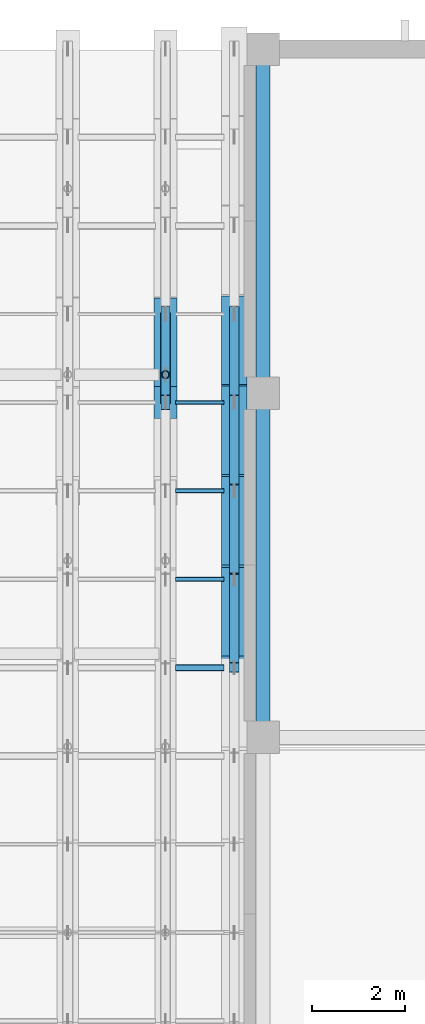
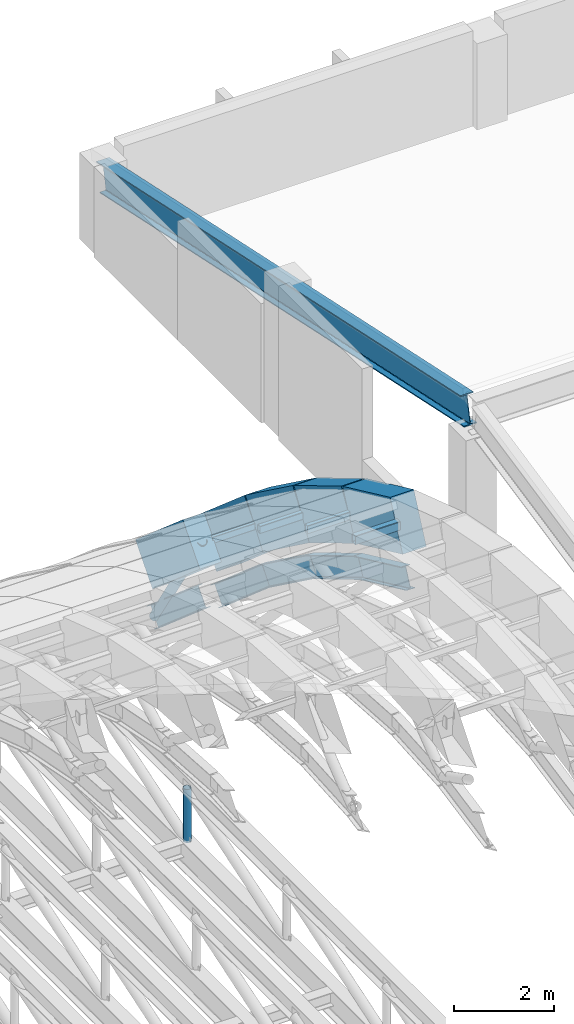
# One storey, part 44 of 67: 11 beams, 6 members.
"""IFC4 building model written with IfcOpenShell, lengths in metres."""

import ifcopenshell
import ifcopenshell.guid

model = None  # the IFC model being written
_history = None  # IfcOwnerHistory: only IFC2X3 demands one
_inside = {}  # id of a spatial element -> (the spatial element, [elements in it])
_under = {}  # id of a project, library or spatial element -> (it, [spatial elements below it])
_declared = {}  # id of a project -> (the project, [libraries it declares])
_typed = {}  # id of a type object -> (the type object, [elements of that type])
_made_of = {}  # id of a material, layer set ... -> (it, [elements and type objects made of it])


def new_model(schema):
    """Start an empty IFC model of exactly this schema.

    Asked for "IFC4X3", IfcOpenShell would pick the latest addendum, in which some entities
    have other attributes; the version numbers below select the first issue.
    IFC2X3 requires an IfcOwnerHistory on every rooted entity: one is made here for all.
    """
    global model, _history
    if schema == "IFC4X3":
        model = ifcopenshell.file(schema_version=(4, 3, 0, 0))
    else:
        model = ifcopenshell.file(schema=schema)
    _inside.clear()
    _under.clear()
    _declared.clear()
    _typed.clear()
    _made_of.clear()
    _history = None
    if model.schema == "IFC2X3":
        org = make("IfcOrganization", Name="unknown")
        user = make(
            "IfcPersonAndOrganization",
            ThePerson=make("IfcPerson", FamilyName="unknown"),
            TheOrganization=org,
        )
        app = make(
            "IfcApplication",
            ApplicationDeveloper=org,
            Version="unknown",
            ApplicationFullName="unknown",
            ApplicationIdentifier="unknown",
        )
        _history = make(
            "IfcOwnerHistory",
            OwningUser=user,
            OwningApplication=app,
            ChangeAction="ADDED",
            CreationDate=0,
        )
    return model


def make(cls, **values):
    """One entity of the class cls with the attributes given. An attribute that is None is left unset."""
    return model.create_entity(
        cls, **{name: value for name, value in values.items() if value is not None}
    )


def rooted(cls, **values):
    """An entity with a GlobalId (a new one), such as an element, a storey or a relation."""
    return make(cls, GlobalId=ifcopenshell.guid.new(), OwnerHistory=_history, **values)


def si_unit(unit_type, name, prefix=None):
    """IfcSIUnit, for example si_unit("LENGTHUNIT", "METRE", prefix="MILLI")."""
    return make("IfcSIUnit", UnitType=unit_type, Prefix=prefix, Name=name)


def assignment(units):
    """IfcUnitAssignment: the units of a project."""
    return None if units is None else make("IfcUnitAssignment", Units=units)


def point(xyz):
    """IfcCartesianPoint."""
    return None if xyz is None else make("IfcCartesianPoint", Coordinates=xyz)


def direction(xyz):
    """IfcDirection."""
    return None if xyz is None else make("IfcDirection", DirectionRatios=xyz)


def frame(location, z_axis=None, x_axis=None):
    """IfcAxis2Placement3D, a coordinate frame: its origin and axes. An axis left out is left unset."""
    return make(
        "IfcAxis2Placement3D",
        Location=point(location),
        Axis=direction(z_axis),
        RefDirection=direction(x_axis),
    )


def frame_2d(location, x_axis=None):
    """IfcAxis2Placement2D, a coordinate frame in the plane: its origin and x axis."""
    return make(
        "IfcAxis2Placement2D", Location=point(location), RefDirection=direction(x_axis)
    )


def origin():
    """The frame at (0, 0, 0) with its axes left unset."""
    return frame((0.0, 0.0, 0.0))


def origin_2d():
    """The frame at (0, 0) in the plane with its x axis left unset."""
    return frame_2d((0.0, 0.0))


def place(relative_to, where):
    """IfcLocalPlacement: puts the frame where relative to a parent placement (None: the world)."""
    return make(
        "IfcLocalPlacement", PlacementRelTo=relative_to, RelativePlacement=where
    )


def context(
    kind, dimensions, precision=None, world=None, true_north=None, identifier=None
):
    """IfcGeometricRepresentationContext, for example the 3D "Model" context."""
    return make(
        "IfcGeometricRepresentationContext",
        ContextIdentifier=identifier,
        ContextType=kind,
        CoordinateSpaceDimension=dimensions,
        Precision=precision,
        WorldCoordinateSystem=world,
        TrueNorth=true_north,
    )


def subcontext(parent, identifier, kind, view, scale=None):
    """IfcGeometricRepresentationSubContext, for example "Body" below "Model"."""
    return make(
        "IfcGeometricRepresentationSubContext",
        ContextIdentifier=identifier,
        ContextType=kind,
        ParentContext=parent,
        TargetScale=scale,
        TargetView=view,
    )


def project(units=None, contexts=None):
    """IfcProject with its units and contexts."""
    return rooted(
        "IfcProject",
        Name="project",
        RepresentationContexts=contexts,
        UnitsInContext=assignment(units),
    )


def spatial(cls, under=None, at=None, **own):
    """A site, building, storey or space (cls), placed at a placement, below another one or the project."""
    s = rooted(cls, ObjectPlacement=at, **own)
    if under is not None:
        _under.setdefault(under.id(), (under, []))[1].append(s)
    return s


def profile(cls, at=None, kind="AREA", **sizes):
    """A parametric profile (cls). Its sizes go by their IFC names, for example OverallWidth=200.0."""
    return make(cls, ProfileType=kind, Position=at, **sizes)


def rectangle(**sizes):
    """IfcRectangleProfileDef."""
    return profile("IfcRectangleProfileDef", **sizes)


def hollow_rectangle(**sizes):
    """IfcRectangleHollowProfileDef."""
    return profile("IfcRectangleHollowProfileDef", **sizes)


def hollow_circle(**sizes):
    """IfcCircleHollowProfileDef."""
    return profile("IfcCircleHollowProfileDef", **sizes)


def i_section(**sizes):
    """IfcIShapeProfileDef."""
    return profile("IfcIShapeProfileDef", **sizes)


def extrude(swept, where, along, depth):
    """IfcExtrudedAreaSolid: the profile swept, set in the frame where, extruded along a direction by depth."""
    return make(
        "IfcExtrudedAreaSolid",
        SweptArea=swept,
        Position=where,
        ExtrudedDirection=direction(along),
        Depth=depth,
    )


def shape(context_of_items, identifier, shape_type, items):
    """IfcShapeRepresentation: the items that make up one representation, for example the "Body"."""
    return make(
        "IfcShapeRepresentation",
        ContextOfItems=context_of_items,
        RepresentationIdentifier=identifier,
        RepresentationType=shape_type,
        Items=items,
    )


def material(Name=None, Category=None):
    """IfcMaterial."""
    return make("IfcMaterial", Name=Name, Category=Category)


def material_profile(
    of_material, cross_section, Name=None, Category=None, Priority=None
):
    """IfcMaterialProfile: a cross section and its material."""
    return make(
        "IfcMaterialProfile",
        Name=Name,
        Material=of_material,
        Profile=cross_section,
        Priority=Priority,
        Category=Category,
    )


def profile_set(profiles, Name=None, composite=None):
    """IfcMaterialProfileSet."""
    return make(
        "IfcMaterialProfileSet",
        Name=Name,
        MaterialProfiles=profiles,
        CompositeProfile=composite,
    )


def made_of(thing, what):
    """Note that an element or type object is made of a material, layer set ...; save() writes the relation."""
    if what is not None:
        _made_of.setdefault(what.id(), (what, []))[1].append(thing)
    return thing


def type_object(cls, material=None, **own):
    """A type object (cls), such as IfcWallType, which elements share."""
    return made_of(rooted(cls, **own), material)


def element(
    cls,
    number,
    at=None,
    inside=None,
    cuts=None,
    type_object=None,
    material=None,
    context=None,
    identifier="Body",
    shape_type=None,
    held_by="IfcProductDefinitionShape",
    body=None,
    shapes=None,
    **own,
):
    """One element of the class cls, such as IfcWall. Its Tag is "e" and its number.

    at: its placement. inside: the storey or other place that contains it. cuts: it is an
    opening in that element (IfcRelVoidsElement). A single representation is given by context,
    identifier, shape_type and body (its items); several are given by shapes. held_by: the class
    of the entity that holds the representations. save() writes the other relations.
    """
    e = rooted(cls, Tag="e%d" % number, ObjectPlacement=at, **own)
    if body is not None:
        shapes = [shape(context, identifier, shape_type, body)]
    if shapes is not None:
        e.Representation = make(held_by, Representations=shapes)
    if inside is not None:
        _inside.setdefault(inside.id(), (inside, []))[1].append(e)
    if cuts is not None:
        rooted(
            "IfcRelVoidsElement", RelatingBuildingElement=cuts, RelatedOpeningElement=e
        )
    if type_object is not None:
        _typed.setdefault(type_object.id(), (type_object, []))[1].append(e)
    return made_of(e, material)


def aggregate(whole, parts):
    """IfcRelAggregates: a whole, such as a stair, and the parts it consists of."""
    return rooted("IfcRelAggregates", RelatingObject=whole, RelatedObjects=parts)


def save(model, path):
    """Write the relations noted so far, then the file.

    IfcRelAggregates (storeys below a building ...), IfcRelContainedInSpatialStructure (elements
    in a storey), IfcRelDefinesByType, IfcRelAssociatesMaterial and IfcRelDeclares: one each for
    every whole, place, type object, material and project.
    """
    for whole, parts in _under.values():
        aggregate(whole, parts)
    for where, things in _inside.values():
        rooted(
            "IfcRelContainedInSpatialStructure",
            RelatedElements=things,
            RelatingStructure=where,
        )
    for kind, things in _typed.values():
        rooted("IfcRelDefinesByType", RelatedObjects=things, RelatingType=kind)
    for what, things in _made_of.values():
        rooted("IfcRelAssociatesMaterial", RelatedObjects=things, RelatingMaterial=what)
    for by, libraries in _declared.values():
        rooted("IfcRelDeclares", RelatingContext=by, RelatedDefinitions=libraries)
    model.write(path)


model = new_model("IFC4")

# Units and contexts
model_context = context("Model", 3, precision=1e-05, world=origin(), true_north=direction((0.0, 1.0)))
body_context = subcontext(model_context, "Body", "Model", "MODEL_VIEW")
ifc_project = project(units=[si_unit("LENGTHUNIT", "METRE"), si_unit("AREAUNIT", "SQUARE_METRE"), si_unit("VOLUMEUNIT", "CUBIC_METRE"), si_unit("PLANEANGLEUNIT", "RADIAN"), si_unit("MASSUNIT", "GRAM", prefix="KILO")], contexts=[model_context])

# Site, building, storey
site_placement = place(None, origin())
site = spatial("IfcSite", under=ifc_project, at=site_placement, CompositionType="ELEMENT")
building_placement = place(site_placement, origin())
building = spatial("IfcBuilding", under=site, at=building_placement, Name="Shengluoqiao Park Theatre", CompositionType="ELEMENT")
storey_placement = place(building_placement, frame((0.0, 0.0, 28.60009765625)))
storey = spatial("IfcBuildingStorey", under=building, at=storey_placement, Name="Roof", CompositionType="ELEMENT", Elevation=28.60009765625)

# Beams
ifc_material_1 = material(Name="Concrete C50", Category="concrete")
ifc_material_profile_1 = material_profile(ifc_material_1, rectangle(XDim=0.5, YDim=1.050048828125, at=origin_2d()), Name="RC ARCH 500x1050")
ifc_profile_set_1 = profile_set([ifc_material_profile_1], Name="Concrete C50")
beam_type_1 = type_object("IfcBeamType", Name="STR-BM-AR-5010", PredefinedType="BEAM", material=ifc_profile_set_1)
beam_1_placement = place(storey_placement, frame((84.300048828125, 106.39990234375, -1.9560546875), z_axis=(0.0, 0.757433195517, -0.652912669757), x_axis=(-1.0, 0.0, 0.0)))
element("IfcBeam", 1, at=beam_1_placement, inside=storey, type_object=beam_type_1, Name="Barrel-Shell Arch Rib R20-S17", PredefinedType="BEAM", context=body_context, shape_type="SweptSolid", body=[
    extrude(rectangle(XDim=0.5, YDim=1.050048828125, at=origin_2d()), origin(), (0.0, 0.0, 1.0), 2.508544921875),
])
ifc_material_profile_2 = material_profile(ifc_material_1, rectangle(XDim=0.550048828125, YDim=1.199951171875, at=origin_2d()), Name="RC ARCH 550x1200")
ifc_profile_set_2 = profile_set([ifc_material_profile_2], Name="Concrete C50")
beam_type_2 = type_object("IfcBeamType", Name="STR-BM-AR-5512", PredefinedType="BEAM", material=ifc_profile_set_2)
beam_2_placement = place(storey_placement, frame((85.780029296875, 100.699951171875, 1.44580078125), z_axis=(0.0, 0.907077318021, -0.420964059192), x_axis=(-1.0, 0.0, 0.0)))
element("IfcBeam", 2, at=beam_2_placement, inside=storey, type_object=beam_type_2, Name="Barrel-Shell Arch Rib R21-S14", PredefinedType="BEAM", context=body_context, shape_type="SweptSolid", body=[
    extrude(rectangle(XDim=0.550048828125, YDim=1.199951171875, at=origin_2d()), origin(), (0.0, 0.0, 1.0), 2.0947265625),
])
beam_3_placement = place(storey_placement, frame((85.780029296875, 102.60009765625, 0.56396484375), z_axis=(0.0, 0.858668723557, -0.512530997292), x_axis=(-1.0, 0.0, 0.0)))
element("IfcBeam", 3, at=beam_3_placement, inside=storey, type_object=beam_type_2, Name="Barrel-Shell Arch Rib R21-S15", PredefinedType="BEAM", context=body_context, shape_type="SweptSolid", body=[
    extrude(rectangle(XDim=0.550048828125, YDim=1.199951171875, at=origin_2d()), origin(), (0.0, 0.0, 1.0), 2.212646484375),
])
beam_4_placement = place(storey_placement, frame((85.780029296875, 104.5, -0.570068359375), z_axis=(0.0, 0.807877780345, -0.589350058985), x_axis=(-1.0, 0.0, 0.0)))
element("IfcBeam", 4, at=beam_4_placement, inside=storey, type_object=beam_type_2, Name="Barrel-Shell Arch Rib R21-S16", PredefinedType="BEAM", context=body_context, shape_type="SweptSolid", body=[
    extrude(rectangle(XDim=0.550048828125, YDim=1.199951171875, at=origin_2d()), origin(), (0.0, 0.0, 1.0), 2.351806640625),
])
beam_5_placement = place(storey_placement, frame((85.780029296875, 106.39990234375, -1.9560546875), z_axis=(0.0, 0.757433195517, -0.652912669757), x_axis=(-1.0, 0.0, 0.0)))
element("IfcBeam", 5, at=beam_5_placement, inside=storey, type_object=beam_type_2, Name="Barrel-Shell Arch Rib R21-S17", PredefinedType="BEAM", context=body_context, shape_type="SweptSolid", body=[
    extrude(rectangle(XDim=0.550048828125, YDim=1.199951171875, at=origin_2d()), origin(), (0.0, 0.0, 1.0), 2.508544921875),
])
ifc_material_2 = material(Name="Steel Q390", Category="steel")
ifc_material_profile_3 = material_profile(ifc_material_2, i_section(OverallWidth=0.300048828125, OverallDepth=0.699951171875, WebThickness=0.012939453125, FlangeThickness=0.02392578125, FilletRadius=0.02392578125, at=origin_2d()), Name="HN 700x300x13x24")
ifc_profile_set_3 = profile_set([ifc_material_profile_3], Name="Steel Q390")
beam_type_3 = type_object("IfcBeamType", Name="STR-BM-G-HN700", PredefinedType="BEAM", material=ifc_profile_set_3)
beam_6_placement = place(storey_placement, frame((86.39990234375, 99.35009765625, 4.7998046875), z_axis=(0.0, 0.977921194151, -0.20897401281), x_axis=(-1.0, 0.0, 0.0)))
element("IfcBeam", 6, at=beam_6_placement, inside=storey, type_object=beam_type_3, Name="Fly Tower North Roof Rafter X86", PredefinedType="BEAM", context=body_context, shape_type="SweptSolid", body=[
    extrude(i_section(OverallWidth=0.300048828125, OverallDepth=0.699951171875, WebThickness=0.012939453125, FlangeThickness=0.02392578125, FilletRadius=0.02392578125, at=origin_2d()), origin(), (0.0, 0.0, 1.0), 14.929443359375),
])
ifc_material_3 = material(Name="Steel Q355", Category="steel")
ifc_material_profile_4 = material_profile(ifc_material_3, i_section(OverallWidth=0.199951171875, OverallDepth=0.5, WebThickness=0.010009765625, FlangeThickness=0.01611328125, FilletRadius=0.01806640625, at=origin_2d()), Name="HN 500x200x10x16")
ifc_profile_set_4 = profile_set([ifc_material_profile_4], Name="Steel Q355")
beam_type_4 = type_object("IfcBeamType", Name="STR-BM-J-HN500", PredefinedType="JOIST", material=ifc_profile_set_4)
beam_7_placement = place(storey_placement, frame((84.300048828125, 106.39990234375, -3.316162109375), z_axis=(0.0, 0.757433195517, -0.652912669757), x_axis=(-1.0, 0.0, 0.0)))
element("IfcBeam", 7, at=beam_7_placement, inside=storey, type_object=beam_type_4, Name="Barrel-Shell Lower Arch Chord R20-S17", PredefinedType="JOIST", context=body_context, shape_type="SweptSolid", body=[
    extrude(i_section(OverallWidth=0.199951171875, OverallDepth=0.5, WebThickness=0.010009765625, FlangeThickness=0.01611328125, FilletRadius=0.01806640625, at=origin_2d()), origin(), (0.0, 0.0, 1.0), 2.508544921875),
])
beam_8_placement = place(storey_placement, frame((85.780029296875, 100.699951171875, 0.0859375), z_axis=(0.0, 0.907032812412, -0.421059944911), x_axis=(-1.0, 0.0, 0.0)))
element("IfcBeam", 8, at=beam_8_placement, inside=storey, type_object=beam_type_4, Name="Barrel-Shell Lower Arch Chord R21-S14", PredefinedType="JOIST", context=body_context, shape_type="SweptSolid", body=[
    extrude(i_section(OverallWidth=0.199951171875, OverallDepth=0.5, WebThickness=0.010009765625, FlangeThickness=0.01611328125, FilletRadius=0.01806640625, at=origin_2d()), origin(), (0.0, 0.0, 1.0), 2.094970703125),
])
beam_9_placement = place(storey_placement, frame((85.780029296875, 102.60009765625, -0.796142578125), z_axis=(0.0, 0.858668723557, -0.512530997292), x_axis=(-1.0, 0.0, 0.0)))
element("IfcBeam", 9, at=beam_9_placement, inside=storey, type_object=beam_type_4, Name="Barrel-Shell Lower Arch Chord R21-S15", PredefinedType="JOIST", context=body_context, shape_type="SweptSolid", body=[
    extrude(i_section(OverallWidth=0.199951171875, OverallDepth=0.5, WebThickness=0.010009765625, FlangeThickness=0.01611328125, FilletRadius=0.01806640625, at=origin_2d()), origin(), (0.0, 0.0, 1.0), 2.212646484375),
])
beam_10_placement = place(storey_placement, frame((85.780029296875, 104.5, -1.93017578125), z_axis=(0.0, 0.807877780345, -0.589350058985), x_axis=(-1.0, 0.0, 0.0)))
element("IfcBeam", 10, at=beam_10_placement, inside=storey, type_object=beam_type_4, Name="Barrel-Shell Lower Arch Chord R21-S16", PredefinedType="JOIST", context=body_context, shape_type="SweptSolid", body=[
    extrude(i_section(OverallWidth=0.199951171875, OverallDepth=0.5, WebThickness=0.010009765625, FlangeThickness=0.01611328125, FilletRadius=0.01806640625, at=origin_2d()), origin(), (0.0, 0.0, 1.0), 2.351806640625),
])
beam_11_placement = place(storey_placement, frame((85.780029296875, 106.39990234375, -3.316162109375), z_axis=(0.0, 0.757433195517, -0.652912669757), x_axis=(-1.0, 0.0, 0.0)))
element("IfcBeam", 11, at=beam_11_placement, inside=storey, type_object=beam_type_4, Name="Barrel-Shell Lower Arch Chord R21-S17", PredefinedType="JOIST", context=body_context, shape_type="SweptSolid", body=[
    extrude(i_section(OverallWidth=0.199951171875, OverallDepth=0.5, WebThickness=0.010009765625, FlangeThickness=0.01611328125, FilletRadius=0.01806640625, at=origin_2d()), origin(), (0.0, 0.0, 1.0), 2.508544921875),
])

# Members
ifc_material_profile_5 = material_profile(ifc_material_3, hollow_circle(Radius=0.109619140625, WallThickness=0.010009765625, at=origin_2d()), Name="CHS 219x10")
ifc_profile_set_5 = profile_set([ifc_material_profile_5], Name="Steel Q355")
member_type_1 = type_object("IfcMemberType", Name="STR-MEM-BRC-219", PredefinedType="BRACE", material=ifc_profile_set_5)
member_1_placement = place(storey_placement, frame((84.300048828125, 106.39990234375, -1.9560546875), z_axis=(0.0, 0.535330234694, -0.844642847494), x_axis=(-1.0, 0.0, 0.0)))
element("IfcMember", 12, at=member_1_placement, inside=storey, type_object=member_type_1, Name="Barrel-Shell Arch Truss Web 0397", PredefinedType="BRACE", context=body_context, shape_type="SweptSolid", body=[
    extrude(hollow_circle(Radius=0.109619140625, WallThickness=0.010009765625, at=origin_2d()), origin(), (0.0, 0.0, 1.0), 3.549560546875),
])
ifc_material_profile_6 = material_profile(ifc_material_3, hollow_rectangle(XDim=0.080078125, YDim=0.159912109375, WallThickness=0.006103515625, InnerFilletRadius=0.006103515625, OuterFilletRadius=0.011962890625, at=origin_2d()), Name="RHS 160x80x6")
ifc_profile_set_6 = profile_set([ifc_material_profile_6], Name="Steel Q355")
member_type_2 = type_object("IfcMemberType", Name="STR-MEM-PU-R160", PredefinedType="PURLIN", material=ifc_profile_set_6)
member_2_placement = place(storey_placement, frame((84.52001953125, 106.39990234375, -2.006103515625), z_axis=(1.0, 0.0, 0.0), x_axis=(0.0, 1.0, 0.0)))
element("IfcMember", 13, at=member_2_placement, inside=storey, type_object=member_type_2, Name="Shell Longitudinal Purlin 0377", PredefinedType="PURLIN", context=body_context, shape_type="SweptSolid", body=[
    extrude(hollow_rectangle(XDim=0.080078125, YDim=0.159912109375, WallThickness=0.006103515625, InnerFilletRadius=0.006103515625, OuterFilletRadius=0.011962890625, at=origin_2d()), origin(), (0.0, 0.0, 1.0), 1.0400390625),
])
ifc_material_profile_7 = material_profile(ifc_material_3, hollow_rectangle(XDim=0.10009765625, YDim=0.179931640625, WallThickness=0.008056640625, InnerFilletRadius=0.008056640625, OuterFilletRadius=0.01611328125, at=origin_2d()), Name="RHS 180x100x8")
ifc_profile_set_7 = profile_set([ifc_material_profile_7], Name="Steel Q355")
member_type_3 = type_object("IfcMemberType", Name="STR-MEM-PU-R180", PredefinedType="PURLIN", material=ifc_profile_set_7)
member_3_placement = place(storey_placement, frame((84.52001953125, 104.5, -0.590087890625), z_axis=(1.0, 0.0, 0.0), x_axis=(0.0, 1.0, 0.0)))
element("IfcMember", 14, at=member_3_placement, inside=storey, type_object=member_type_3, Name="Shell Longitudinal Purlin 0376", PredefinedType="PURLIN", context=body_context, shape_type="SweptSolid", body=[
    extrude(hollow_rectangle(XDim=0.10009765625, YDim=0.179931640625, WallThickness=0.008056640625, InnerFilletRadius=0.008056640625, OuterFilletRadius=0.01611328125, at=origin_2d()), origin(), (0.0, 0.0, 1.0), 1.0400390625),
])
ifc_material_profile_8 = material_profile(ifc_material_3, hollow_rectangle(XDim=0.10009765625, YDim=0.199951171875, WallThickness=0.008056640625, InnerFilletRadius=0.008056640625, OuterFilletRadius=0.01611328125, at=origin_2d()), Name="RHS 200x100x8")
ifc_profile_set_8 = profile_set([ifc_material_profile_8], Name="Steel Q355")
member_type_4 = type_object("IfcMemberType", Name="STR-MEM-PU-R200", PredefinedType="PURLIN", material=ifc_profile_set_8)
member_4_placement = place(storey_placement, frame((84.52001953125, 102.60009765625, 0.56396484375), z_axis=(1.0, 0.0, 0.0), x_axis=(0.0, 1.0, 0.0)))
element("IfcMember", 15, at=member_4_placement, inside=storey, type_object=member_type_4, Name="Shell Longitudinal Purlin 0375", PredefinedType="PURLIN", context=body_context, shape_type="SweptSolid", body=[
    extrude(hollow_rectangle(XDim=0.10009765625, YDim=0.199951171875, WallThickness=0.008056640625, InnerFilletRadius=0.008056640625, OuterFilletRadius=0.01611328125, at=origin_2d()), origin(), (0.0, 0.0, 1.0), 1.0400390625),
])
ifc_material_profile_9 = material_profile(ifc_material_3, hollow_rectangle(XDim=0.139892578125, YDim=0.219970703125, WallThickness=0.010009765625, InnerFilletRadius=0.010009765625, OuterFilletRadius=0.02001953125, at=origin_2d()), Name="RHS 220x140x10")
ifc_profile_set_9 = profile_set([ifc_material_profile_9], Name="Steel Q355")
member_type_5 = type_object("IfcMemberType", Name="STR-MEM-PU-R220", PredefinedType="PURLIN", material=ifc_profile_set_9)
member_5_placement = place(storey_placement, frame((84.52001953125, 100.699951171875, 1.4658203125), z_axis=(1.0, 0.0, 0.0), x_axis=(0.0, 1.0, 0.0)))
element("IfcMember", 16, at=member_5_placement, inside=storey, type_object=member_type_5, Name="Shell Longitudinal Purlin 0374", PredefinedType="PURLIN", context=body_context, shape_type="SweptSolid", body=[
    extrude(hollow_rectangle(XDim=0.139892578125, YDim=0.219970703125, WallThickness=0.010009765625, InnerFilletRadius=0.010009765625, OuterFilletRadius=0.02001953125, at=origin_2d()), origin(), (0.0, 0.0, 1.0), 1.0400390625),
])
ifc_material_profile_10 = material_profile(ifc_material_3, hollow_circle(Radius=0.083984375, WallThickness=0.008056640625, at=origin_2d()), Name="CHS 168x8")
ifc_profile_set_10 = profile_set([ifc_material_profile_10], Name="Steel Q355")
member_type_6 = type_object("IfcMemberType", Name="STR-MEM-STC-168", PredefinedType="STRUT", material=ifc_profile_set_10)
member_6_placement = place(storey_placement, frame((84.300048828125, 107.0, -9.650146484375), z_axis=(0.0, 0.0, 1.0), x_axis=(1.0, 0.0, 0.0)))
element("IfcMember", 17, at=member_6_placement, inside=storey, type_object=member_type_6, Name="Acoustic Tie Truss Strut 0178", PredefinedType="STRUT", context=body_context, shape_type="SweptSolid", body=[
    extrude(hollow_circle(Radius=0.083984375, WallThickness=0.008056640625, at=origin_2d()), origin(), (0.0, 0.0, 1.0), 1.300048828125),
])

save(model, "model.ifc")
